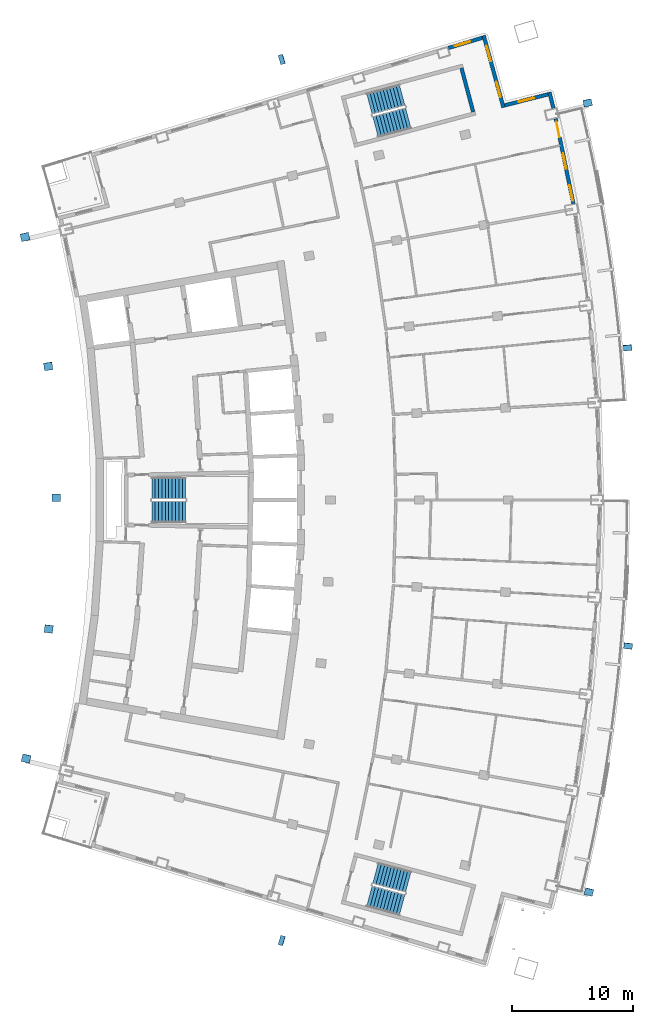
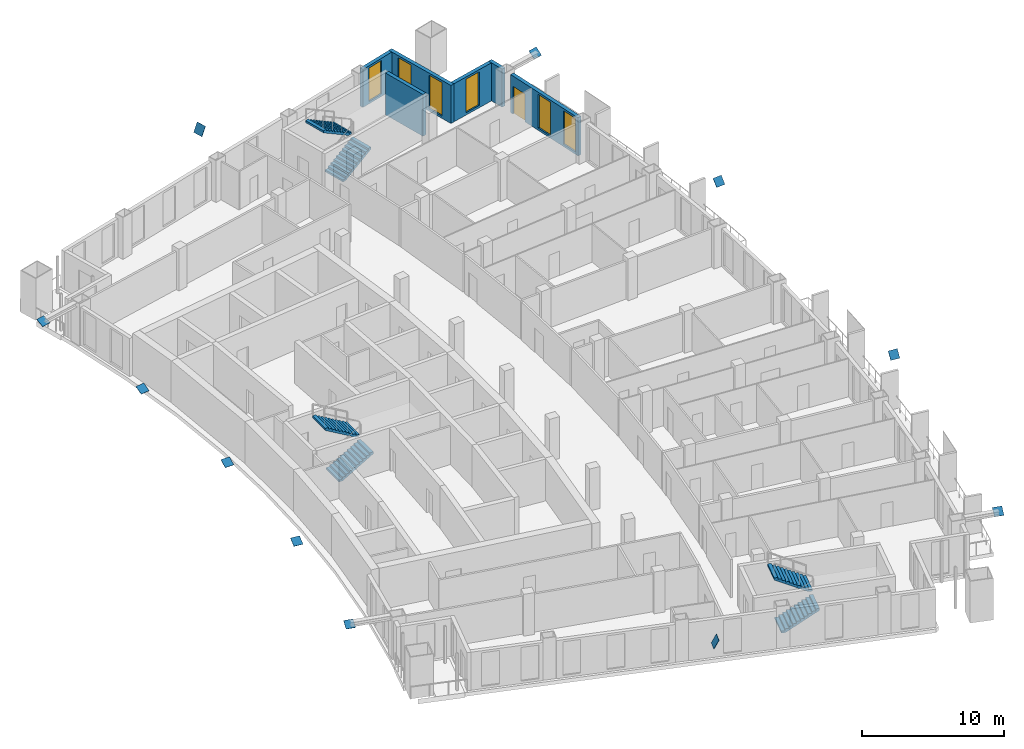
# One storey, part 15 of 17: 11 discrete accessories, 6 stair flights, 6 walls, 6 windows, 1 door, 7 openings, 3 elements without a shape of their own.
"""IFC4 building model written with IfcOpenShell, lengths in metres."""

from ifc_helpers import new_model, si_unit, direction, frame, frame_2d, origin, origin_2d, place, context, subcontext, project, spatial, polyline, rectangle, outline, extrude, material, layer, layer_set, material_profile, profile_set, type_object, element, fill, aggregate, save


model = new_model("IFC4")

# Units and contexts
model_context = context("Model", 3, precision=1e-05, world=origin(), true_north=direction((0.0, 1.0)))
body_context = subcontext(model_context, "Body", "Model", "MODEL_VIEW")
ifc_project = project(units=[si_unit("LENGTHUNIT", "METRE"), si_unit("AREAUNIT", "SQUARE_METRE"), si_unit("VOLUMEUNIT", "CUBIC_METRE"), si_unit("PLANEANGLEUNIT", "RADIAN"), si_unit("MASSUNIT", "GRAM", prefix="KILO")], contexts=[model_context])

# Site, building, storey
site_placement = place(None, origin())
site = spatial("IfcSite", under=ifc_project, at=site_placement, CompositionType="ELEMENT")
building_placement = place(site_placement, origin())
building = spatial("IfcBuilding", under=site, at=building_placement, Name="Alderwake Tower", CompositionType="ELEMENT")
storey_placement = place(building_placement, frame((0.0, 0.0, 218.0)))
storey = spatial("IfcBuildingStorey", under=building, at=storey_placement, Name="L54", CompositionType="ELEMENT", Elevation=218.0)

# Wall
ifc_material_1 = material(Name="Concrete C70/85", Category="concrete")
ifc_layer_1 = layer(ifc_material_1, 0.300048828125)
ifc_layer_set_1 = layer_set([ifc_layer_1], Name="Core wall stair enclosure 300 C70-85")
wall_type_1 = type_object("IfcWallType", Name="Core wall stair enclosure 300 C70-85", PredefinedType="SHEAR", material=ifc_layer_set_1)
wall_1_placement = place(storey_placement, frame((47.581298828125, 93.041748046875, 0.0), z_axis=(0.0, 0.0, 1.0), x_axis=(-0.257366821694, 0.966313778796, 0.0)))
element("IfcWall", 1, at=wall_1_placement, inside=storey, type_object=wall_type_1, Name="Core wall CW.081", PredefinedType="SHEAR", context=body_context, shape_type="SweptSolid", body=[
    extrude(rectangle(XDim=3.749755859375, YDim=0.300048828125, at=frame_2d((1.875, 0.0))), origin(), (0.0, 0.0, 1.0), 3.60009765625),
])

# Wall, openings, door, windows
ifc_material_2 = material(Name="Precast concrete C50/60 spandrel panel", Category="concrete")
ifc_layer_2 = layer(ifc_material_2, 0.300048828125)
ifc_layer_set_2 = layer_set([ifc_layer_2], Name="External wall EW1 Precast concrete C50/60 spandrel")
wall_type_2 = type_object("IfcWallType", Name="External wall EW1 Precast concrete C50/60 spandrel", PredefinedType="SOLIDWALL", material=ifc_layer_set_2)
wall_2_placement = place(storey_placement, frame((55.8505859375, 85.4736328125, 0.0), z_axis=(0.0, 0.0, 1.0), x_axis=(-0.202724039507, 0.979235908148, 0.0)))
wall_2 = element("IfcWall", 2, at=wall_2_placement, inside=storey, type_object=wall_type_2, Name="External wall 19", PredefinedType="SOLIDWALL", context=body_context, shape_type="SweptSolid", body=[
    extrude(rectangle(XDim=7.1572265625, YDim=0.300048828125, at=frame_2d((3.57861328125, 0.0))), origin(), (0.0, 0.0, 1.0), 3.280029296875),
])
opening_1_placement = place(wall_2_placement, frame((0.24951171875, 0.0, 0.199951171875)))
opening_1 = element("IfcOpeningElement", 3, at=opening_1_placement, cuts=wall_2, Name="Opening W1", PredefinedType="OPENING", context=body_context, shape_type="SweptSolid", body=[
    extrude(rectangle(XDim=1.300048828125, YDim=2.89990234375, at=frame_2d((0.64990234375, 1.449951171875))), frame((0.0, 0.159912109375, 0.0), z_axis=(0.0, -1.0, 0.0), x_axis=(1.0, 0.0, 0.0)), (0.0, 0.0, 1.0), 0.320068359375),
])
opening_2_placement = place(wall_2_placement, frame((2.928466796875, 0.0, 0.199951171875)))
opening_2 = element("IfcOpeningElement", 4, at=opening_2_placement, cuts=wall_2, Name="Opening W1", PredefinedType="OPENING", context=body_context, shape_type="SweptSolid", body=[
    extrude(rectangle(XDim=1.300048828125, YDim=2.89990234375, at=frame_2d((0.64990234375, 1.449951171875))), frame((0.0, 0.159912109375, 0.0), z_axis=(0.0, -1.0, 0.0), x_axis=(1.0, 0.0, 0.0)), (0.0, 0.0, 1.0), 0.320068359375),
])
opening_3_placement = place(wall_2_placement, frame((5.607666015625, 0.0, 0.0)))
opening_3 = element("IfcOpeningElement", 5, at=opening_3_placement, cuts=wall_2, Name="Opening D08", PredefinedType="OPENING", context=body_context, shape_type="SweptSolid", body=[
    extrude(rectangle(XDim=1.300048828125, YDim=2.39990234375, at=frame_2d((0.64990234375, 1.199951171875))), frame((0.0, 0.159912109375, 0.0), z_axis=(0.0, -1.0, 0.0), x_axis=(1.0, 0.0, 0.0)), (0.0, 0.0, 1.0), 0.320068359375),
])
ifc_material_3 = material(Name="Bronze tinted glass in aluminium frame", Category="aluminium")
door_type = type_object("IfcDoorType", Name="Balcony door BD sliding", OperationType="SLIDING_TO_LEFT", PredefinedType="DOOR", material=ifc_material_3)
door_placement = place(opening_3_placement, origin())
door = element("IfcDoor", 6, at=door_placement, inside=storey, type_object=door_type, Name="Door D08", OperationType="SLIDING_TO_LEFT", OverallHeight=2.39990234375, OverallWidth=1.300048828125, PredefinedType="DOOR", context=body_context, shape_type="SweptSolid", body=[
    extrude(rectangle(XDim=1.300048828125, YDim=2.39990234375, at=frame_2d((0.64990234375, 1.199951171875))), frame((0.0, 0.02490234375, 0.0), z_axis=(0.0, -1.0, 0.0), x_axis=(1.0, 0.0, 0.0)), (0.0, 0.0, 1.0), 0.050048828125),
])
fill(opening_3, door)
ifc_material_4 = material(Name="Bronze tinted glass in aluminium frame", Category="aluminium")
window_type = type_object("IfcWindowType", Name="Window W1 tall fixed and vent", PartitioningType="DOUBLE_PANEL_VERTICAL", PredefinedType="WINDOW", material=ifc_material_4)
window_1_placement = place(opening_1_placement, origin())
window_1 = element("IfcWindow", 7, at=window_1_placement, inside=storey, type_object=window_type, Name="Window W1 tall fixed and vent", OverallHeight=2.89990234375, OverallWidth=1.300048828125, PartitioningType="DOUBLE_PANEL_VERTICAL", PredefinedType="WINDOW", context=body_context, shape_type="SweptSolid", body=[
    extrude(rectangle(XDim=1.300048828125, YDim=2.89990234375, at=frame_2d((0.64990234375, 1.449951171875))), frame((0.0, 0.030029296875, 0.0), z_axis=(0.0, -1.0, 0.0), x_axis=(1.0, 0.0, 0.0)), (0.0, 0.0, 1.0), 0.06005859375),
])
fill(opening_1, window_1)
window_2_placement = place(opening_2_placement, origin())
window_2 = element("IfcWindow", 8, at=window_2_placement, inside=storey, type_object=window_type, Name="Window W1 tall fixed and vent", OverallHeight=2.89990234375, OverallWidth=1.300048828125, PartitioningType="DOUBLE_PANEL_VERTICAL", PredefinedType="WINDOW", context=body_context, shape_type="SweptSolid", body=[
    extrude(rectangle(XDim=1.300048828125, YDim=2.89990234375, at=frame_2d((0.64990234375, 1.449951171875))), frame((0.0, 0.030029296875, 0.0), z_axis=(0.0, -1.0, 0.0), x_axis=(1.0, 0.0, 0.0)), (0.0, 0.0, 1.0), 0.06005859375),
])
fill(opening_2, window_2)

# Wall
wall_3_placement = place(storey_placement, frame((54.206298828125, 93.33837890625, 0.0), z_axis=(0.0, 0.0, 1.0), x_axis=(-0.238212099684, 0.971213156606, 0.0)))
element("IfcWall", 9, at=wall_3_placement, inside=storey, type_object=wall_type_2, Name="External wall 20", PredefinedType="SOLIDWALL", context=body_context, shape_type="SweptSolid", body=[
    extrude(rectangle(XDim=1.382568359375, YDim=0.300048828125, at=frame_2d((0.69140625, 0.0))), origin(), (0.0, 0.0, 1.0), 3.280029296875),
])

# Wall, opening, window
ifc_material_5 = material(Name="Bronze metal cladding on lightweight framing")
ifc_layer_3 = layer(ifc_material_5, 0.300048828125)
ifc_layer_set_3 = layer_set([ifc_layer_3], Name="External wall EW2 bronze metal cladding")
wall_type_3 = type_object("IfcWallType", Name="External wall EW2 bronze metal cladding", PredefinedType="SOLIDWALL", material=ifc_layer_set_3)
wall_4_placement = place(storey_placement, frame((53.76708984375, 94.498779296875, 0.0), z_axis=(0.0, 0.0, 1.0), x_axis=(-0.96941119971, -0.245442306614, 0.0)))
wall_4 = element("IfcWall", 10, at=wall_4_placement, inside=storey, type_object=wall_type_3, Name="External wall 21", PredefinedType="SOLIDWALL", context=body_context, shape_type="SweptSolid", body=[
    extrude(rectangle(XDim=3.6943359375, YDim=0.300048828125, at=frame_2d((1.84716796875, 0.0))), origin(), (0.0, 0.0, 1.0), 3.280029296875),
])
opening_4_placement = place(wall_4_placement, frame((1.197021484375, 0.0, 0.199951171875)))
opening_4 = element("IfcOpeningElement", 11, at=opening_4_placement, cuts=wall_4, Name="Opening W1", PredefinedType="OPENING", context=body_context, shape_type="SweptSolid", body=[
    extrude(rectangle(XDim=1.300048828125, YDim=2.89990234375, at=frame_2d((0.64990234375, 1.449951171875))), frame((0.0, 0.159912109375, 0.0), z_axis=(0.0, -1.0, 0.0), x_axis=(1.0, 0.0, 0.0)), (0.0, 0.0, 1.0), 0.320068359375),
])
window_3_placement = place(opening_4_placement, origin())
window_3 = element("IfcWindow", 12, at=window_3_placement, inside=storey, type_object=window_type, Name="Window W1 tall fixed and vent", OverallHeight=2.89990234375, OverallWidth=1.300048828125, PartitioningType="DOUBLE_PANEL_VERTICAL", PredefinedType="WINDOW", context=body_context, shape_type="SweptSolid", body=[
    extrude(rectangle(XDim=1.300048828125, YDim=2.89990234375, at=frame_2d((0.64990234375, 1.449951171875))), frame((0.0, 0.030029296875, 0.0), z_axis=(0.0, -1.0, 0.0), x_axis=(1.0, 0.0, 0.0)), (0.0, 0.0, 1.0), 0.06005859375),
])
fill(opening_4, window_3)

# Wall, openings, windows
wall_5_placement = place(storey_placement, frame((50.080078125, 93.41064453125, 0.0), z_axis=(0.0, 0.0, 1.0), x_axis=(-0.265050617045, 0.964234499696, 0.0)))
wall_5 = element("IfcWall", 13, at=wall_5_placement, inside=storey, type_object=wall_type_3, Name="External wall 22", PredefinedType="SOLIDWALL", context=body_context, shape_type="SweptSolid", body=[
    extrude(rectangle(XDim=6.1640625, YDim=0.300048828125, at=frame_2d((3.08203125, 0.0))), origin(), (0.0, 0.0, 1.0), 3.280029296875),
])
opening_5_placement = place(wall_5_placement, frame((0.89111328125, 0.0, 0.199951171875)))
opening_5 = element("IfcOpeningElement", 14, at=opening_5_placement, cuts=wall_5, Name="Opening W1", PredefinedType="OPENING", context=body_context, shape_type="SweptSolid", body=[
    extrude(rectangle(XDim=1.300048828125, YDim=2.89990234375, at=frame_2d((0.64990234375, 1.449951171875))), frame((0.0, 0.159912109375, 0.0), z_axis=(0.0, -1.0, 0.0), x_axis=(1.0, 0.0, 0.0)), (0.0, 0.0, 1.0), 0.320068359375),
])
opening_6_placement = place(wall_5_placement, frame((3.97314453125, 0.0, 0.199951171875)))
opening_6 = element("IfcOpeningElement", 15, at=opening_6_placement, cuts=wall_5, Name="Opening W1", PredefinedType="OPENING", context=body_context, shape_type="SweptSolid", body=[
    extrude(rectangle(XDim=1.300048828125, YDim=2.89990234375, at=frame_2d((0.64990234375, 1.449951171875))), frame((0.0, 0.159912109375, 0.0), z_axis=(0.0, -1.0, 0.0), x_axis=(1.0, 0.0, 0.0)), (0.0, 0.0, 1.0), 0.320068359375),
])
window_4_placement = place(opening_5_placement, origin())
window_4 = element("IfcWindow", 16, at=window_4_placement, inside=storey, type_object=window_type, Name="Window W1 tall fixed and vent", OverallHeight=2.89990234375, OverallWidth=1.300048828125, PartitioningType="DOUBLE_PANEL_VERTICAL", PredefinedType="WINDOW", context=body_context, shape_type="SweptSolid", body=[
    extrude(rectangle(XDim=1.300048828125, YDim=2.89990234375, at=frame_2d((0.64990234375, 1.449951171875))), frame((0.0, 0.030029296875, 0.0), z_axis=(0.0, -1.0, 0.0), x_axis=(1.0, 0.0, 0.0)), (0.0, 0.0, 1.0), 0.06005859375),
])
fill(opening_5, window_4)
window_5_placement = place(opening_6_placement, origin())
window_5 = element("IfcWindow", 17, at=window_5_placement, inside=storey, type_object=window_type, Name="Window W1 tall fixed and vent", OverallHeight=2.89990234375, OverallWidth=1.300048828125, PartitioningType="DOUBLE_PANEL_VERTICAL", PredefinedType="WINDOW", context=body_context, shape_type="SweptSolid", body=[
    extrude(rectangle(XDim=1.300048828125, YDim=2.89990234375, at=frame_2d((0.64990234375, 1.449951171875))), frame((0.0, 0.030029296875, 0.0), z_axis=(0.0, -1.0, 0.0), x_axis=(1.0, 0.0, 0.0)), (0.0, 0.0, 1.0), 0.06005859375),
])
fill(opening_6, window_5)

# Wall, opening, window
wall_6_placement = place(storey_placement, frame((48.34228515625, 99.16650390625, 0.0), z_axis=(0.0, 0.0, 1.0), x_axis=(-0.957764859373, -0.287552558935, 0.0)))
wall_6 = element("IfcWall", 18, at=wall_6_placement, inside=storey, type_object=wall_type_3, Name="External wall 23", PredefinedType="SOLIDWALL", context=body_context, shape_type="SweptSolid", body=[
    extrude(rectangle(XDim=2.95458984375, YDim=0.300048828125, at=frame_2d((1.477294921875, 0.0))), origin(), (0.0, 0.0, 1.0), 3.280029296875),
])
opening_7_placement = place(wall_6_placement, frame((1.065673828125, 0.0, 0.199951171875)))
opening_7 = element("IfcOpeningElement", 19, at=opening_7_placement, cuts=wall_6, Name="Opening W1", PredefinedType="OPENING", context=body_context, shape_type="SweptSolid", body=[
    extrude(rectangle(XDim=1.300048828125, YDim=2.89990234375, at=frame_2d((0.64990234375, 1.449951171875))), frame((0.0, 0.159912109375, 0.0), z_axis=(0.0, -1.0, 0.0), x_axis=(1.0, 0.0, 0.0)), (0.0, 0.0, 1.0), 0.320068359375),
])
window_6_placement = place(opening_7_placement, origin())
window_6 = element("IfcWindow", 20, at=window_6_placement, inside=storey, type_object=window_type, Name="Window W1 tall fixed and vent", OverallHeight=2.89990234375, OverallWidth=1.300048828125, PartitioningType="DOUBLE_PANEL_VERTICAL", PredefinedType="WINDOW", context=body_context, shape_type="SweptSolid", body=[
    extrude(rectangle(XDim=1.300048828125, YDim=2.89990234375, at=frame_2d((0.64990234375, 1.449951171875))), frame((0.0, 0.030029296875, 0.0), z_axis=(0.0, -1.0, 0.0), x_axis=(1.0, 0.0, 0.0)), (0.0, 0.0, 1.0), 0.06005859375),
])
fill(opening_7, window_6)

# Stair, stair flights
ifc_material_6 = material(Name="Concrete C40/50", Category="concrete")
stair_type = type_object("IfcStairType", Name="Core exit stair", PredefinedType="HALF_TURN_STAIR", material=ifc_material_6)
stair_1_placement = place(storey_placement, origin())
stair_1 = element("IfcStair", 21, at=stair_1_placement, inside=storey, type_object=stair_type, Name="L54 Exit Stair B", PredefinedType="HALF_TURN_STAIR")
ifc_material_7 = material(Name="Concrete C40/50", Category="concrete")
ifc_layer_4 = layer(ifc_material_7, 0.14990234375)
ifc_layer_set_4 = layer_set([ifc_layer_4], Name="Core stair flight")
stair_flight_type = type_object("IfcStairFlightType", Name="Core stair flight", PredefinedType="STRAIGHT", material=ifc_layer_set_4)
stair_flight_1_placement = place(storey_placement, frame((21.0400390625, 60.02490234375, 0.0), z_axis=(0.0, 0.0, 1.0), x_axis=(1.0, 0.0, 0.0)))
stair_flight_1 = element("IfcStairFlight", 22, at=stair_flight_1_placement, type_object=stair_flight_type, Name="ST-B flight 1", NumberOfRisers=11, NumberOfTreads=10, PredefinedType="STRAIGHT", RiserHeight=0.163636364, TreadLength=0.28, context=body_context, shape_type="SweptSolid", body=[
    extrude(outline(polyline([(0.0, 0.0), (0.0, 0.16357421875), (0.280029296875, 0.16357421875), (0.280029296875, 0.327392578125), (0.56005859375, 0.327392578125), (0.56005859375, 0.490966796875), (0.840087890625, 0.490966796875), (0.840087890625, 0.654541015625), (1.1201171875, 0.654541015625), (1.1201171875, 0.818115234375), (1.39990234375, 0.818115234375), (1.39990234375, 0.98193359375), (1.679931640625, 0.98193359375), (1.679931640625, 1.1455078125), (1.9599609375, 1.1455078125), (1.9599609375, 1.30908203125), (2.239990234375, 1.30908203125), (2.239990234375, 1.47265625), (2.52001953125, 1.47265625), (2.52001953125, 1.636474609375), (2.800048828125, 1.636474609375), (2.800048828125, 1.800048828125), (2.800048828125, 1.462646484375), (0.297119140625, 0.0), (0.0, 0.0)])), frame((0.0, 0.89990234375, 0.0), z_axis=(0.0, -1.0, 0.0), x_axis=(1.0, 0.0, 0.0)), (0.0, 0.0, 1.0), 1.800048828125),
])
stair_flight_2_placement = place(storey_placement, frame((23.840087890625, 61.97509765625, 1.800048828125), z_axis=(0.0, 0.0, 1.0), x_axis=(-1.0, 0.0, 0.0)))
stair_flight_2 = element("IfcStairFlight", 23, at=stair_flight_2_placement, type_object=stair_flight_type, Name="ST-B flight 2", NumberOfRisers=11, NumberOfTreads=10, PredefinedType="STRAIGHT", RiserHeight=0.163636364, TreadLength=0.28, context=body_context, shape_type="SweptSolid", body=[
    extrude(outline(polyline([(0.0, 0.0), (0.0, 0.16357421875), (0.280029296875, 0.16357421875), (0.280029296875, 0.327392578125), (0.56005859375, 0.327392578125), (0.56005859375, 0.490966796875), (0.840087890625, 0.490966796875), (0.840087890625, 0.654541015625), (1.1201171875, 0.654541015625), (1.1201171875, 0.818115234375), (1.39990234375, 0.818115234375), (1.39990234375, 0.98193359375), (1.679931640625, 0.98193359375), (1.679931640625, 1.1455078125), (1.9599609375, 1.1455078125), (1.9599609375, 1.30908203125), (2.239990234375, 1.30908203125), (2.239990234375, 1.47265625), (2.52001953125, 1.47265625), (2.52001953125, 1.636474609375), (2.800048828125, 1.636474609375), (2.800048828125, 1.800048828125), (2.800048828125, 1.462646484375), (0.297119140625, 0.0), (0.0, 0.0)])), frame((0.0, 0.89990234375, 0.0), z_axis=(0.0, -1.0, 0.0), x_axis=(1.0, 0.0, 0.0)), (0.0, 0.0, 1.0), 1.800048828125),
])
aggregate(stair_1, [stair_flight_1, stair_flight_2])

stair_2_placement = place(storey_placement, origin())
stair_2 = element("IfcStair", 24, at=stair_2_placement, inside=storey, type_object=stair_type, Name="L54 Exit Stair A", PredefinedType="HALF_TURN_STAIR")
stair_flight_3_placement = place(storey_placement, frame((39.512939453125, 91.823974609375, 0.0), z_axis=(0.0, 0.0, 1.0), x_axis=(0.966309627437, 0.257382407951, 0.0)))
stair_flight_3 = element("IfcStairFlight", 25, at=stair_flight_3_placement, type_object=stair_flight_type, Name="ST-A flight 1", NumberOfRisers=11, NumberOfTreads=10, PredefinedType="STRAIGHT", RiserHeight=0.163636364, TreadLength=0.28, context=body_context, shape_type="SweptSolid", body=[
    extrude(outline(polyline([(0.0, 0.0), (0.0, 0.16357421875), (0.280029296875, 0.16357421875), (0.280029296875, 0.327392578125), (0.56005859375, 0.327392578125), (0.56005859375, 0.490966796875), (0.840087890625, 0.490966796875), (0.840087890625, 0.654541015625), (1.1201171875, 0.654541015625), (1.1201171875, 0.818115234375), (1.39990234375, 0.818115234375), (1.39990234375, 0.98193359375), (1.679931640625, 0.98193359375), (1.679931640625, 1.1455078125), (1.9599609375, 1.1455078125), (1.9599609375, 1.30908203125), (2.239990234375, 1.30908203125), (2.239990234375, 1.47265625), (2.52001953125, 1.47265625), (2.52001953125, 1.636474609375), (2.800048828125, 1.636474609375), (2.800048828125, 1.800048828125), (2.800048828125, 1.462646484375), (0.297119140625, 0.0), (0.0, 0.0)])), frame((0.0, 0.89990234375, 0.0), z_axis=(0.0, -1.0, 0.0), x_axis=(1.0, 0.0, 0.0)), (0.0, 0.0, 1.0), 1.800048828125),
])
stair_flight_4_placement = place(storey_placement, frame((41.716796875, 94.428955078125, 1.800048828125), z_axis=(0.0, 0.0, 1.0), x_axis=(-0.966309627437, -0.257382407951, 0.0)))
stair_flight_4 = element("IfcStairFlight", 26, at=stair_flight_4_placement, type_object=stair_flight_type, Name="ST-A flight 2", NumberOfRisers=11, NumberOfTreads=10, PredefinedType="STRAIGHT", RiserHeight=0.163636364, TreadLength=0.28, context=body_context, shape_type="SweptSolid", body=[
    extrude(outline(polyline([(0.0, 0.0), (0.0, 0.16357421875), (0.280029296875, 0.16357421875), (0.280029296875, 0.327392578125), (0.56005859375, 0.327392578125), (0.56005859375, 0.490966796875), (0.840087890625, 0.490966796875), (0.840087890625, 0.654541015625), (1.1201171875, 0.654541015625), (1.1201171875, 0.818115234375), (1.39990234375, 0.818115234375), (1.39990234375, 0.98193359375), (1.679931640625, 0.98193359375), (1.679931640625, 1.1455078125), (1.9599609375, 1.1455078125), (1.9599609375, 1.30908203125), (2.239990234375, 1.30908203125), (2.239990234375, 1.47265625), (2.52001953125, 1.47265625), (2.52001953125, 1.636474609375), (2.800048828125, 1.636474609375), (2.800048828125, 1.800048828125), (2.800048828125, 1.462646484375), (0.297119140625, 0.0), (0.0, 0.0)])), frame((0.0, 0.89990234375, 0.0), z_axis=(0.0, -1.0, 0.0), x_axis=(1.0, 0.0, 0.0)), (0.0, 0.0, 1.0), 1.800048828125),
])
aggregate(stair_2, [stair_flight_3, stair_flight_4])

stair_3_placement = place(storey_placement, origin())
stair_3 = element("IfcStair", 27, at=stair_3_placement, inside=storey, type_object=stair_type, Name="L54 Exit Stair C", PredefinedType="HALF_TURN_STAIR")
stair_flight_5_placement = place(storey_placement, frame((39.010986328125, 28.291748046875, 0.0), z_axis=(0.0, 0.0, 1.0), x_axis=(0.966309627437, -0.257382407951, 0.0)))
stair_flight_5 = element("IfcStairFlight", 28, at=stair_flight_5_placement, type_object=stair_flight_type, Name="ST-C flight 1", NumberOfRisers=11, NumberOfTreads=10, PredefinedType="STRAIGHT", RiserHeight=0.163636364, TreadLength=0.28, context=body_context, shape_type="SweptSolid", body=[
    extrude(outline(polyline([(0.0, 0.0), (0.0, 0.16357421875), (0.280029296875, 0.16357421875), (0.280029296875, 0.327392578125), (0.56005859375, 0.327392578125), (0.56005859375, 0.490966796875), (0.840087890625, 0.490966796875), (0.840087890625, 0.654541015625), (1.1201171875, 0.654541015625), (1.1201171875, 0.818115234375), (1.39990234375, 0.818115234375), (1.39990234375, 0.98193359375), (1.679931640625, 0.98193359375), (1.679931640625, 1.1455078125), (1.9599609375, 1.1455078125), (1.9599609375, 1.30908203125), (2.239990234375, 1.30908203125), (2.239990234375, 1.47265625), (2.52001953125, 1.47265625), (2.52001953125, 1.636474609375), (2.800048828125, 1.636474609375), (2.800048828125, 1.800048828125), (2.800048828125, 1.462646484375), (0.297119140625, 0.0), (0.0, 0.0)])), frame((0.0, 0.89990234375, 0.0), z_axis=(0.0, -1.0, 0.0), x_axis=(1.0, 0.0, 0.0)), (0.0, 0.0, 1.0), 1.800048828125),
])
stair_flight_6_placement = place(storey_placement, frame((42.218505859375, 29.455322265625, 1.800048828125), z_axis=(0.0, 0.0, 1.0), x_axis=(-0.966309627437, 0.257382407951, 0.0)))
stair_flight_6 = element("IfcStairFlight", 29, at=stair_flight_6_placement, type_object=stair_flight_type, Name="ST-C flight 2", NumberOfRisers=11, NumberOfTreads=10, PredefinedType="STRAIGHT", RiserHeight=0.163636364, TreadLength=0.28, context=body_context, shape_type="SweptSolid", body=[
    extrude(outline(polyline([(0.0, 0.0), (0.0, 0.16357421875), (0.280029296875, 0.16357421875), (0.280029296875, 0.327392578125), (0.56005859375, 0.327392578125), (0.56005859375, 0.490966796875), (0.840087890625, 0.490966796875), (0.840087890625, 0.654541015625), (1.1201171875, 0.654541015625), (1.1201171875, 0.818115234375), (1.39990234375, 0.818115234375), (1.39990234375, 0.98193359375), (1.679931640625, 0.98193359375), (1.679931640625, 1.1455078125), (1.9599609375, 1.1455078125), (1.9599609375, 1.30908203125), (2.239990234375, 1.30908203125), (2.239990234375, 1.47265625), (2.52001953125, 1.47265625), (2.52001953125, 1.636474609375), (2.800048828125, 1.636474609375), (2.800048828125, 1.800048828125), (2.800048828125, 1.462646484375), (0.297119140625, 0.0), (0.0, 0.0)])), frame((0.0, 0.89990234375, 0.0), z_axis=(0.0, -1.0, 0.0), x_axis=(1.0, 0.0, 0.0)), (0.0, 0.0, 1.0), 1.800048828125),
])
aggregate(stair_3, [stair_flight_5, stair_flight_6])

# Discrete accessories
ifc_material_8 = material(Name="Steel ASTM A572 Grade 50", Category="steel")
ifc_material_profile_1 = material_profile(ifc_material_8, rectangle(XDim=0.699951171875, YDim=0.699951171875, at=origin_2d()), Name="BOX 700X700X45 cap")
ifc_profile_set_1 = profile_set([ifc_material_profile_1], Name="Steel ASTM A572 Grade 50")
discrete_accessory_type_1 = type_object("IfcDiscreteAccessoryType", Name="End cap plate BOX 700X700X45", PredefinedType="USERDEFINED", material=ifc_profile_set_1)
for number, where, z_axis, x_axis, name in (
    (30, (57.1328125, 28.635498046875, 3.32568359375), (-0.14642375251, -0.58569501004, 0.797195985888), (0.970142500145, -0.242535625036, 0.0), "End cap BRF4.2.2B1 X"),
    (31, (60.376220703125, 48.95263671875, 3.3828125), (-0.081311562818, -0.748066377927, 0.658623658827), (0.994144463069, -0.108059180768, 0.0), "End cap BRF4.2.4B1 X"),
):
    element("IfcDiscreteAccessory", number, at=place(storey_placement, frame(where, z_axis=z_axis, x_axis=x_axis)), inside=storey, type_object=discrete_accessory_type_1, Name=name, ObjectType="END CAP", PredefinedType="USERDEFINED", context=body_context, shape_type="SweptSolid", body=[
        extrude(rectangle(XDim=0.699951171875, YDim=0.699951171875, at=origin_2d()), origin(), (0.0, 0.0, 1.0), 0.030029296875),
    ])
discrete_accessory_placement = place(storey_placement, frame((60.32958984375, 73.577392578125, 3.3828125), z_axis=(0.056667623985, -0.752869861514, 0.655725363254), x_axis=(0.997179282295, 0.075056505119, 0.0)))
element("IfcDiscreteAccessory", 32, at=discrete_accessory_placement, inside=storey, type_object=discrete_accessory_type_1, Name="End cap BRF4.2.7B1 X", ObjectType="END CAP", PredefinedType="USERDEFINED", context=body_context, shape_type="SweptSolid", body=[
    extrude(rectangle(XDim=0.699951171875, YDim=0.699951171875, at=origin_2d()), origin(), (0.0, 0.0, 1.0), 0.0302734375),
])
for number, where, z_axis, x_axis, name in (
    (33, (57.031005859375, 93.7939453125, 3.32568359375), (0.121834506274, -0.592927930535, 0.795985440993), (0.979534918634, 0.20127429835, 0.0), "End cap BRF4.2.10B1 X"),
    (34, (10.6630859375, 39.65625, 3.20703125), (-0.105495990526, -0.438214114494, 0.892658381376), (0.972223637158, -0.234053838575, 0.0), "End cap BRR4.2.2B1 X"),
    (35, (12.53125, 50.354736328125, 3.20703125), (-0.056826119483, -0.446490938798, 0.892981877596), (0.991997911724, -0.126254279674, 0.0), "End cap BRR4.2.4B1 X"),
    (36, (13.141357421875, 61.197998046875, 3.20703125), (0.0, -0.45368304067, 0.891163115601), (1.0, 0.0, 0.0), "End cap BRR4.2.6B1 X"),
    (37, (12.485107421875, 72.038330078125, 3.20703125), (0.056826119483, -0.446490938798, 0.892981877596), (0.991997911724, 0.126254279674, 0.0), "End cap BRR4.2.8B1 X"),
    (38, (10.571533203125, 82.72900390625, 3.20703125), (0.105495990526, -0.438214114494, 0.892658381376), (0.972223637158, 0.234053838575, 0.0), "End cap BRR4.2.10B1 X"),
):
    element("IfcDiscreteAccessory", number, at=place(storey_placement, frame(where, z_axis=z_axis, x_axis=x_axis)), inside=storey, type_object=discrete_accessory_type_1, Name=name, ObjectType="END CAP", PredefinedType="USERDEFINED", context=body_context, shape_type="SweptSolid", body=[
        extrude(rectangle(XDim=0.699951171875, YDim=0.699951171875, at=origin_2d()), origin(), (0.0, 0.0, 1.0), 0.030029296875),
    ])
ifc_material_9 = material(Name="Steel ASTM A572 Grade 50", Category="steel")
ifc_material_profile_2 = material_profile(ifc_material_9, rectangle(XDim=0.800048828125, YDim=0.800048828125, at=origin_2d()), Name="BOX 800X800X50 cap")
ifc_profile_set_2 = profile_set([ifc_material_profile_2], Name="Steel ASTM A572 Grade 50")
discrete_accessory_type_2 = type_object("IfcDiscreteAccessoryType", Name="End cap plate BOX 800X800X50", PredefinedType="USERDEFINED", material=ifc_profile_set_2)
for number, where, z_axis, x_axis, name in (
    (39, (31.78662109375, 24.619384765625, 3.42626953125), (-0.848421463916, 0.252894859437, 0.465000225416), (-0.285656661543, -0.958332025822, 0.0), "End cap BRS4.2.0B1 X"),
    (40, (31.78662109375, 97.380615234375, 3.42626953125), (-0.848421463916, -0.252894859437, 0.465000225416), (0.285656661543, -0.958332025822, 0.0), "End cap BRN4.2.0B1 X"),
):
    element("IfcDiscreteAccessory", number, at=place(storey_placement, frame(where, z_axis=z_axis, x_axis=x_axis)), inside=storey, type_object=discrete_accessory_type_2, Name=name, ObjectType="END CAP", PredefinedType="USERDEFINED", context=body_context, shape_type="SweptSolid", body=[
        extrude(rectangle(XDim=0.800048828125, YDim=0.800048828125, at=origin_2d()), origin(), (0.0, 0.0, 1.0), 0.030029296875),
    ])

save(model, "model.ifc")
